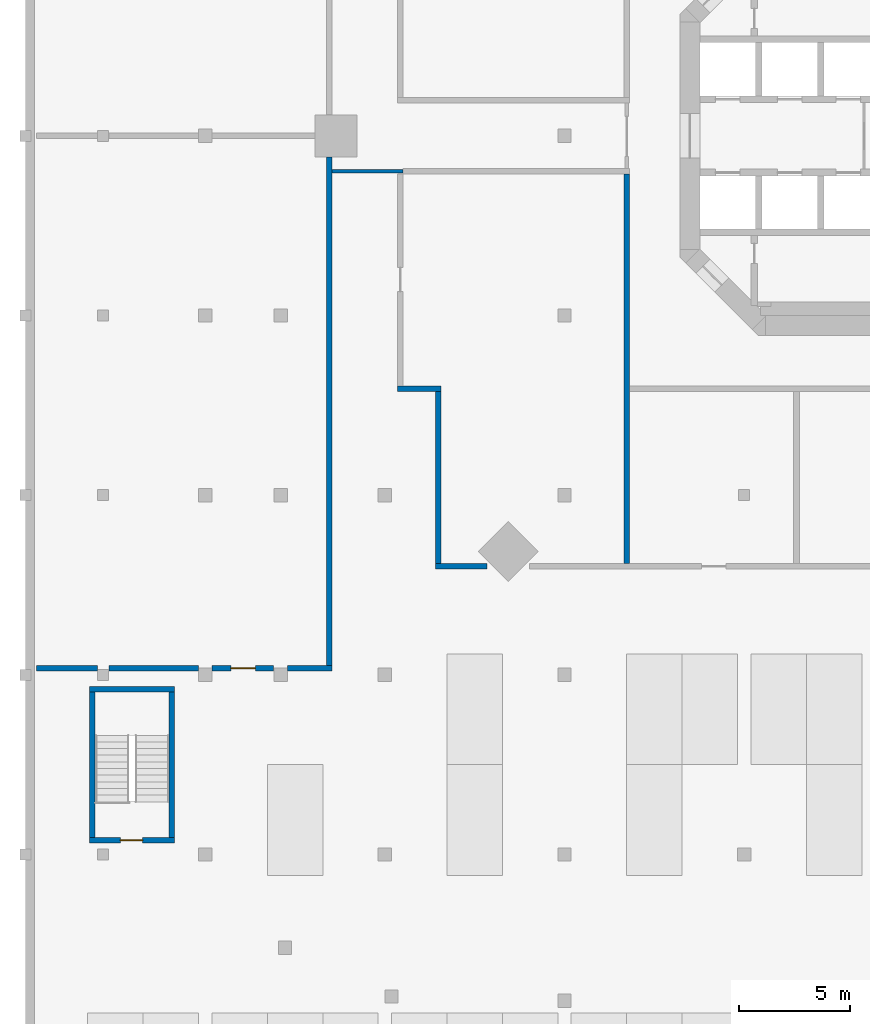
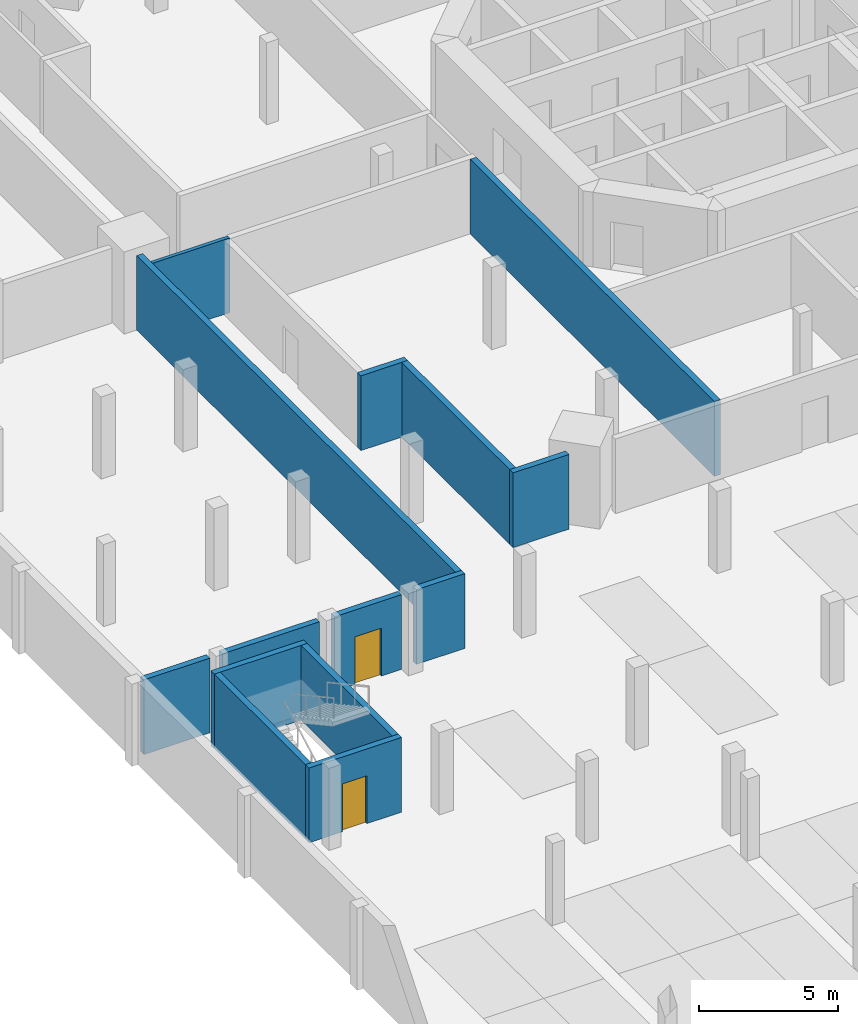
# One storey, part 3 of 14: 14 walls, 2 doors, 2 openings.
"""IFC4 building model written with IfcOpenShell, lengths in metres."""

from ifc_helpers import new_model, si_unit, direction, frame, frame_2d, origin, place, context, subcontext, project, spatial, rectangle, extrude, material, layer, layer_set, type_object, element, fill, save


model = new_model("IFC4")

# Units and contexts
model_context = context("Model", 3, precision=1e-05, world=origin(), true_north=direction((0.0, 1.0)))
body_context = subcontext(model_context, "Body", "Model", "MODEL_VIEW")
ifc_project = project(units=[si_unit("LENGTHUNIT", "METRE"), si_unit("AREAUNIT", "SQUARE_METRE"), si_unit("VOLUMEUNIT", "CUBIC_METRE"), si_unit("PLANEANGLEUNIT", "RADIAN"), si_unit("MASSUNIT", "GRAM", prefix="KILO")], contexts=[model_context])

# Site, building, storey
site_placement = place(None, origin())
site = spatial("IfcSite", under=ifc_project, at=site_placement, CompositionType="ELEMENT")
building_placement = place(site_placement, origin())
building = spatial("IfcBuilding", under=site, at=building_placement, Name="Torre Triforio", CompositionType="ELEMENT")
storey_placement = place(building_placement, frame((0.0, 0.0, -7.199951171875)))
storey = spatial("IfcBuildingStorey", under=building, at=storey_placement, Name="B2", CompositionType="ELEMENT", Elevation=-7.199951171875)

# Walls
ifc_material_1 = material(Name="Plasterboard on metal studs")
ifc_layer_1 = layer(ifc_material_1, 0.14990234375)
ifc_layer_set_1 = layer_set([ifc_layer_1], Name="Plasterboard on metal studs")
wall_type_1 = type_object("IfcWallType", Name="Corridor wall 150 EI 60", PredefinedType="PARTITIONING", material=ifc_layer_set_1)
wall_1_placement = place(storey_placement, frame((-26.675048828125, -1.60009765625, 0.0), z_axis=(0.0, 0.0, 1.0), x_axis=(1.0, 0.0, 0.0)))
element("IfcWall", 1, at=wall_1_placement, inside=storey, type_object=wall_type_1, Name="Corridor wall B2 026", PredefinedType="PARTITIONING", context=body_context, shape_type="SweptSolid", body=[
    extrude(rectangle(XDim=3.199951171875, YDim=0.14990234375, at=frame_2d((1.60009765625, 0.0))), origin(), (0.0, 0.0, 1.0), 3.280029296875),
])
ifc_material_2 = material(Name="Masonry block", Category="masonry")
ifc_layer_2 = layer(ifc_material_2, 0.25)
ifc_layer_set_2 = layer_set([ifc_layer_2], Name="Masonry block")
wall_type_2 = type_object("IfcWallType", Name="Plant room wall 250 EI 120", PredefinedType="PARTITIONING", material=ifc_layer_set_2)
wall_2_placement = place(storey_placement, frame((-40.0, -24.0, 0.0), z_axis=(0.0, 0.0, 1.0), x_axis=(1.0, 0.0, 0.0)))
element("IfcWall", 2, at=wall_2_placement, inside=storey, type_object=wall_type_2, Name="Plant room wall B2 032", PredefinedType="PARTITIONING", context=body_context, shape_type="SweptSolid", body=[
    extrude(rectangle(XDim=2.739990234375, YDim=0.25, at=frame_2d((1.3701171875, 0.0))), origin(), (0.0, 0.0, 1.0), 3.280029296875),
])
wall_3_placement = place(storey_placement, frame((-36.739990234375, -24.0, 0.0), z_axis=(0.0, 0.0, 1.0), x_axis=(1.0, 0.0, 0.0)))
element("IfcWall", 3, at=wall_3_placement, inside=storey, type_object=wall_type_2, Name="Plant room wall B2 033", PredefinedType="PARTITIONING", context=body_context, shape_type="SweptSolid", body=[
    extrude(rectangle(XDim=4.030029296875, YDim=0.25, at=frame_2d((2.01513671875, 0.0))), origin(), (0.0, 0.0, 1.0), 3.280029296875),
])

# Wall, opening, door
wall_4_placement = place(storey_placement, frame((-32.090087890625, -24.0, 0.0), z_axis=(0.0, 0.0, 1.0), x_axis=(1.0, 0.0, 0.0)))
wall_4 = element("IfcWall", 4, at=wall_4_placement, inside=storey, type_object=wall_type_2, Name="Plant room wall B2 034", PredefinedType="PARTITIONING", context=body_context, shape_type="SweptSolid", body=[
    extrude(rectangle(XDim=2.780029296875, YDim=0.25, at=frame_2d((1.39013671875, 0.0))), origin(), (0.0, 0.0, 1.0), 3.280029296875),
])
opening_1_placement = place(wall_4_placement, frame((0.85009765625, 0.0, 0.0)))
opening_1 = element("IfcOpeningElement", 5, at=opening_1_placement, cuts=wall_4, Name="Opening BS2-15", PredefinedType="OPENING", context=body_context, shape_type="SweptSolid", body=[
    extrude(rectangle(XDim=1.10009765625, YDim=2.10009765625, at=frame_2d((0.550048828125, 1.050048828125))), frame((0.0, 0.135009765625, 0.0), z_axis=(0.0, -1.0, 0.0), x_axis=(1.0, 0.0, 0.0)), (0.0, 0.0, 1.0), 0.27001953125),
])
ifc_material_3 = material(Name="Hollow metal fire door leaf")
door_type_1 = type_object("IfcDoorType", Name="Plant room door 1100 x 2100 EI 60", OperationType="NOTDEFINED", PredefinedType="DOOR", material=ifc_material_3)
door_1_placement = place(opening_1_placement, origin())
door_1 = element("IfcDoor", 6, at=door_1_placement, inside=storey, type_object=door_type_1, Name="Door BS2-15", OperationType="SINGLE_SWING_LEFT", OverallHeight=2.10009765625, OverallWidth=1.10009765625, PredefinedType="DOOR", context=body_context, shape_type="SweptSolid", body=[
    extrude(rectangle(XDim=1.10009765625, YDim=2.10009765625, at=frame_2d((0.550048828125, 1.050048828125))), frame((0.0, 0.02490234375, 0.0), z_axis=(0.0, -1.0, 0.0), x_axis=(1.0, 0.0, 0.0)), (0.0, 0.0, 1.0), 0.050048828125),
])
fill(opening_1, door_1)

# Walls
wall_5_placement = place(storey_placement, frame((-28.68994140625, -24.0, 0.0), z_axis=(0.0, 0.0, 1.0), x_axis=(1.0, 0.0, 0.0)))
element("IfcWall", 7, at=wall_5_placement, inside=storey, type_object=wall_type_2, Name="Plant room wall B2 035", PredefinedType="PARTITIONING", context=body_context, shape_type="SweptSolid", body=[
    extrude(rectangle(XDim=2.014892578125, YDim=0.25, at=frame_2d((1.00732421875, 0.0))), origin(), (0.0, 0.0, 1.0), 3.280029296875),
])
wall_6_placement = place(storey_placement, frame((-26.800048828125, -23.875, 0.0), z_axis=(0.0, 0.0, 1.0), x_axis=(0.0, 1.0, 0.0)))
element("IfcWall", 8, at=wall_6_placement, inside=storey, type_object=wall_type_2, Name="Plant room wall B2 036", PredefinedType="PARTITIONING", context=body_context, shape_type="SweptSolid", body=[
    extrude(rectangle(XDim=22.9150390625, YDim=0.25, at=frame_2d((11.45751953125, 0.0))), origin(), (0.0, 0.0, 1.0), 3.280029296875),
])
wall_7_placement = place(storey_placement, frame((-22.02490234375, -19.39990234375, 0.0), z_axis=(0.0, 0.0, 1.0), x_axis=(1.0, 0.0, 0.0)))
element("IfcWall", 9, at=wall_7_placement, inside=storey, type_object=wall_type_2, Name="Plant room wall B2 045", PredefinedType="PARTITIONING", context=body_context, shape_type="SweptSolid", body=[
    extrude(rectangle(XDim=2.32666015625, YDim=0.25, at=frame_2d((1.163330078125, 0.0))), origin(), (0.0, 0.0, 1.0), 3.280029296875),
])
wall_8_placement = place(storey_placement, frame((-23.72509765625, -11.39990234375, 0.0), z_axis=(0.0, 0.0, 1.0), x_axis=(1.0, 0.0, 0.0)))
element("IfcWall", 10, at=wall_8_placement, inside=storey, type_object=wall_type_2, Name="Plant room wall B2 047", PredefinedType="PARTITIONING", context=body_context, shape_type="SweptSolid", body=[
    extrude(rectangle(XDim=1.9501953125, YDim=0.25, at=frame_2d((0.97509765625, 0.0))), origin(), (0.0, 0.0, 1.0), 3.280029296875),
])
wall_9_placement = place(storey_placement, frame((-21.89990234375, -19.27490234375, 0.0), z_axis=(0.0, 0.0, 1.0), x_axis=(0.0, 1.0, 0.0)))
element("IfcWall", 11, at=wall_9_placement, inside=storey, type_object=wall_type_2, Name="Plant room wall B2 049", PredefinedType="PARTITIONING", context=body_context, shape_type="SweptSolid", body=[
    extrude(rectangle(XDim=7.75, YDim=0.25, at=frame_2d((3.875, 0.0))), origin(), (0.0, 0.0, 1.0), 3.280029296875),
])
wall_10_placement = place(storey_placement, frame((-13.39990234375, -19.27490234375, 0.0), z_axis=(0.0, 0.0, 1.0), x_axis=(0.0, 1.0, 0.0)))
element("IfcWall", 12, at=wall_10_placement, inside=storey, type_object=wall_type_2, Name="Plant room wall B2 058", PredefinedType="PARTITIONING", context=body_context, shape_type="SweptSolid", body=[
    extrude(rectangle(XDim=17.5498046875, YDim=0.25, at=frame_2d((8.77490234375, 0.0))), origin(), (0.0, 0.0, 1.0), 3.280029296875),
])

# Wall, opening, door
ifc_material_4 = material(Name="Concrete C40", Category="concrete")
ifc_layer_3 = layer(ifc_material_4, 0.25)
ifc_layer_set_3 = layer_set([ifc_layer_3], Name="Concrete C40")
wall_type_3 = type_object("IfcWallType", Name="Stair enclosure wall 250 EI 120", PredefinedType="STANDARD", material=ifc_layer_set_3)
wall_11_placement = place(storey_placement, frame((-37.625, -31.75, 0.0), z_axis=(0.0, 0.0, 1.0), x_axis=(1.0, 0.0, 0.0)))
wall_11 = element("IfcWall", 13, at=wall_11_placement, inside=storey, type_object=wall_type_3, Name="Stair enclosure wall B2 001", PredefinedType="STANDARD", context=body_context, shape_type="SweptSolid", body=[
    extrude(rectangle(XDim=3.85009765625, YDim=0.25, at=frame_2d((1.925048828125, 0.0))), origin(), (0.0, 0.0, 1.0), 3.280029296875),
])
opening_2_placement = place(wall_11_placement, frame((1.39990234375, 0.0, 0.0)))
opening_2 = element("IfcOpeningElement", 14, at=opening_2_placement, cuts=wall_11, Name="Opening BS2-01", PredefinedType="OPENING", context=body_context, shape_type="SweptSolid", body=[
    extrude(rectangle(XDim=1.0, YDim=2.10009765625, at=frame_2d((0.5, 1.050048828125))), frame((0.0, 0.135009765625, 0.0), z_axis=(0.0, -1.0, 0.0), x_axis=(1.0, 0.0, 0.0)), (0.0, 0.0, 1.0), 0.27001953125),
])
door_type_2 = type_object("IfcDoorType", Name="Stair door 1000 x 2100 EI 90", OperationType="NOTDEFINED", PredefinedType="DOOR", material=ifc_material_3)
door_2_placement = place(opening_2_placement, origin())
door_2 = element("IfcDoor", 15, at=door_2_placement, inside=storey, type_object=door_type_2, Name="Door BS2-01", OperationType="SINGLE_SWING_LEFT", OverallHeight=2.10009765625, OverallWidth=1.0, PredefinedType="DOOR", context=body_context, shape_type="SweptSolid", body=[
    extrude(rectangle(XDim=1.0, YDim=2.10009765625, at=frame_2d((0.5, 1.050048828125))), frame((0.0, 0.02490234375, 0.0), z_axis=(0.0, -1.0, 0.0), x_axis=(1.0, 0.0, 0.0)), (0.0, 0.0, 1.0), 0.050048828125),
])
fill(opening_2, door_2)

# Walls
wall_12_placement = place(storey_placement, frame((-37.625, -24.949951171875, 0.0), z_axis=(0.0, 0.0, 1.0), x_axis=(1.0, 0.0, 0.0)))
element("IfcWall", 16, at=wall_12_placement, inside=storey, type_object=wall_type_3, Name="Stair enclosure wall B2 002", PredefinedType="STANDARD", context=body_context, shape_type="SweptSolid", body=[
    extrude(rectangle(XDim=3.85009765625, YDim=0.25, at=frame_2d((1.925048828125, 0.0))), origin(), (0.0, 0.0, 1.0), 3.280029296875),
])
for number, where, z_axis, x_axis, name in (
    (17, (-37.5, -31.625, 0.0), (0.0, 0.0, 1.0), (0.0, 1.0, 0.0), "Stair enclosure wall B2 003"),
    (18, (-33.89990234375, -31.625, 0.0), (0.0, 0.0, 1.0), (0.0, 1.0, 0.0), "Stair enclosure wall B2 004"),
):
    element("IfcWall", number, at=place(storey_placement, frame(where, z_axis=z_axis, x_axis=x_axis)), inside=storey, type_object=wall_type_3, Name=name, PredefinedType="STANDARD", context=body_context, shape_type="SweptSolid", body=[
        extrude(rectangle(XDim=6.550048828125, YDim=0.25, at=frame_2d((3.27490234375, 0.0))), origin(), (0.0, 0.0, 1.0), 3.280029296875),
    ])

save(model, "model.ifc")
